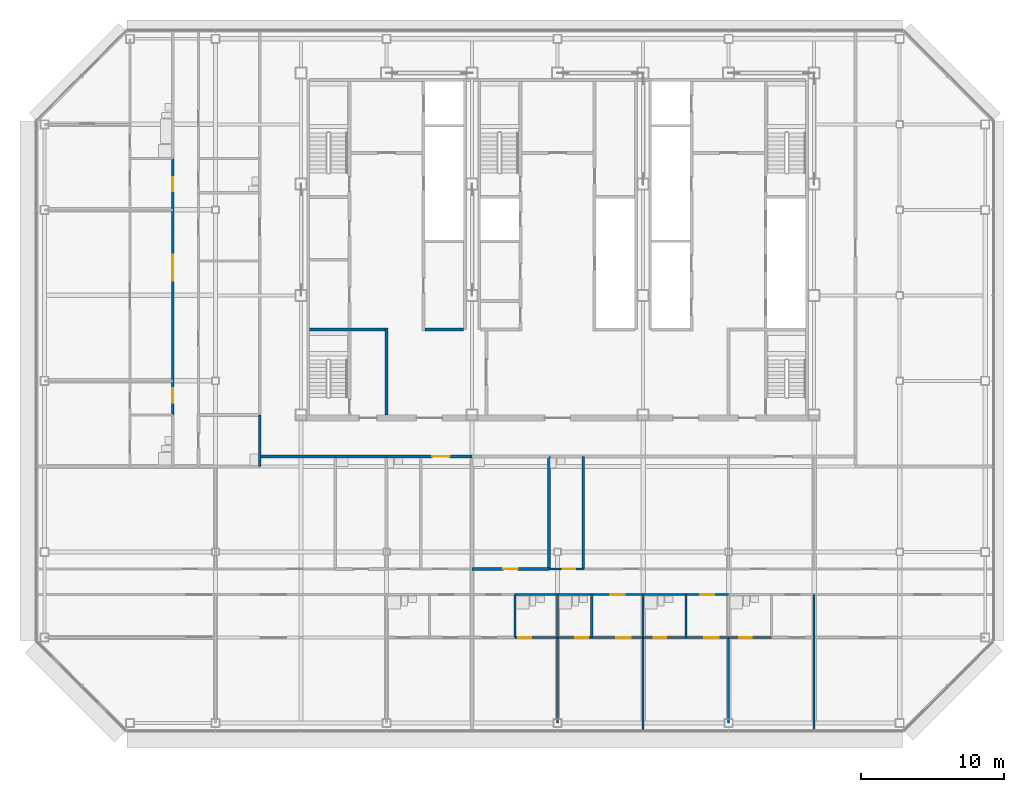
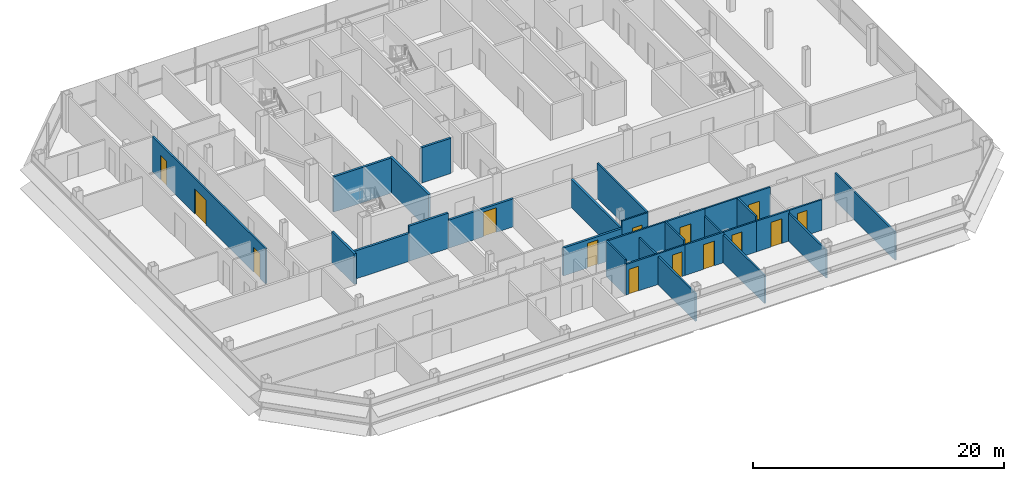
# One storey, part 22 of 28: 30 walls, 14 doors, 14 openings.
"""IFC4 building model written with IfcOpenShell, lengths in metres."""

from ifc_helpers import new_model, si_unit, direction, frame, frame_2d, origin, place, context, subcontext, project, spatial, rectangle, extrude, material, layer, layer_set, type_object, element, fill, save


model = new_model("IFC4")

# Units and contexts
model_context = context("Model", 3, precision=1e-05, world=origin(), true_north=direction((0.0, 1.0)))
body_context = subcontext(model_context, "Body", "Model", "MODEL_VIEW")
ifc_project = project(units=[si_unit("LENGTHUNIT", "METRE"), si_unit("AREAUNIT", "SQUARE_METRE"), si_unit("VOLUMEUNIT", "CUBIC_METRE"), si_unit("PLANEANGLEUNIT", "RADIAN"), si_unit("MASSUNIT", "GRAM", prefix="KILO")], contexts=[model_context])

# Site, building, storey
site_placement = place(None, origin())
site = spatial("IfcSite", under=ifc_project, at=site_placement, CompositionType="ELEMENT")
building_placement = place(site_placement, origin())
building = spatial("IfcBuilding", under=site, at=building_placement, Name="Sorahane Residences", CompositionType="ELEMENT")
storey_placement = place(building_placement, frame((0.0, 0.0, 250.39990234375)))
storey = spatial("IfcBuildingStorey", under=building, at=storey_placement, Name="L59", CompositionType="ELEMENT", Elevation=250.39990234375)

# Wall
ifc_material_1 = material(Name="Concrete blockwork C20 wall", Category="masonry")
ifc_layer_1 = layer(ifc_material_1, 0.199951171875)
ifc_layer_set_1 = layer_set([ifc_layer_1], Name="Corridor wall 200 EI 120")
wall_type_1 = type_object("IfcWallType", Name="Corridor wall 200 EI 120", PredefinedType="SOLIDWALL", material=ifc_layer_set_1)
wall_1_placement = place(storey_placement, frame((3.10009765625, 18.699951171875, 0.0), z_axis=(0.0, 0.0, 1.0), x_axis=(1.0, 0.0, 0.0)))
element("IfcWall", 1, at=wall_1_placement, inside=storey, type_object=wall_type_1, Name="L59 corridor wall", PredefinedType="SOLIDWALL", context=body_context, shape_type="SweptSolid", body=[
    extrude(rectangle(XDim=5.2998046875, YDim=0.199951171875, at=frame_2d((2.64990234375, 0.0))), origin(), (0.0, 0.0, 1.0), 2.72021484375),
])

# Wall, opening, door
wall_2_placement = place(storey_placement, frame((12.0, 18.699951171875, 0.0), z_axis=(0.0, 0.0, 1.0), x_axis=(1.0, 0.0, 0.0)))
wall_2 = element("IfcWall", 2, at=wall_2_placement, inside=storey, type_object=wall_type_1, Name="L59 corridor wall", PredefinedType="SOLIDWALL", context=body_context, shape_type="SweptSolid", body=[
    extrude(rectangle(XDim=6.0, YDim=0.199951171875, at=frame_2d((3.0, 0.0))), origin(), (0.0, 0.0, 1.0), 2.72021484375),
])
opening_1_placement = place(wall_2_placement, frame((3.219970703125, 0.0, 0.0)))
opening_1 = element("IfcOpeningElement", 3, at=opening_1_placement, cuts=wall_2, Name="Opening L59-46", PredefinedType="OPENING", context=body_context, shape_type="SweptSolid", body=[
    extrude(rectangle(XDim=1.199951171875, YDim=2.39990234375, at=frame_2d((0.60009765625, 1.199951171875))), frame((0.0, 0.10986328125, 0.0), z_axis=(0.0, -1.0, 0.0), x_axis=(1.0, 0.0, 0.0)), (0.0, 0.0, 1.0), 0.219970703125),
])
ifc_material_2 = material(Name="Timber veneered fire door", Category="wood")
door_type_1 = type_object("IfcDoorType", Name="Flat entrance door 1200x2400 FD60", OperationType="NOTDEFINED", PredefinedType="DOOR", material=ifc_material_2)
door_1_placement = place(opening_1_placement, frame((1.199951171875, 0.0, 0.0), z_axis=(0.0, 0.0, 1.0), x_axis=(-1.0, 0.0, 0.0)))
door_1 = element("IfcDoor", 4, at=door_1_placement, inside=storey, type_object=door_type_1, Name="Flat entrance door L59-46", OperationType="SINGLE_SWING_RIGHT", OverallHeight=2.39990234375, OverallWidth=1.199951171875, PredefinedType="DOOR", context=body_context, shape_type="SweptSolid", body=[
    extrude(rectangle(XDim=1.199951171875, YDim=2.39990234375, at=frame_2d((0.60009765625, 1.199951171875))), frame((0.0, 0.02490234375, 0.0), z_axis=(0.0, -1.0, 0.0), x_axis=(1.0, 0.0, 0.0)), (0.0, 0.0, 1.0), 0.050048828125),
])
fill(opening_1, door_1)

# Walls
ifc_material_3 = material(Name="Concrete C30", Category="concrete")
ifc_layer_2 = layer(ifc_material_3, 0.199951171875)
ifc_layer_set_2 = layer_set([ifc_layer_2], Name="Front room wall 200 EI 120")
wall_type_2 = type_object("IfcWallType", Name="Front room wall 200 EI 120", PredefinedType="PARTITIONING", material=ifc_layer_set_2)
wall_3_placement = place(storey_placement, frame((12.0, 21.60009765625, 0.0), z_axis=(0.0, 0.0, 1.0), x_axis=(0.0, 1.0, 0.0)))
element("IfcWall", 5, at=wall_3_placement, inside=storey, type_object=wall_type_2, Name="L59 front room wall", PredefinedType="PARTITIONING", context=body_context, shape_type="SweptSolid", body=[
    extrude(rectangle(XDim=6.099853515625, YDim=0.199951171875, at=frame_2d((3.0498046875, 0.0))), origin(), (0.0, 0.0, 1.0), 3.420166015625),
])
ifc_material_4 = material(Name="Concrete blockwork C20 wall", Category="masonry")
ifc_layer_3 = layer(ifc_material_4, 0.199951171875)
ifc_layer_set_3 = layer_set([ifc_layer_3], Name="Kitchen wall 200 EI 180")
wall_type_3 = type_object("IfcWallType", Name="Kitchen wall 200 EI 180", PredefinedType="SOLIDWALL", material=ifc_layer_set_3)
wall_4_placement = place(storey_placement, frame((23.39990234375, 10.800048828125, 0.0), z_axis=(0.0, 0.0, 1.0), x_axis=(0.0, 1.0, 0.0)))
element("IfcWall", 6, at=wall_4_placement, inside=storey, type_object=wall_type_3, Name="L59 kitchen wall", PredefinedType="SOLIDWALL", context=body_context, shape_type="SweptSolid", body=[
    extrude(rectangle(XDim=7.89990234375, YDim=0.199951171875, at=frame_2d((3.949951171875, 0.0))), origin(), (0.0, 0.0, 1.0), 2.72021484375),
])
wall_5_placement = place(storey_placement, frame((3.10009765625, 18.0, 0.0), z_axis=(0.0, 0.0, 1.0), x_axis=(0.0, 1.0, 0.0)))
element("IfcWall", 7, at=wall_5_placement, inside=storey, type_object=wall_type_3, Name="L59 kitchen wall", PredefinedType="SOLIDWALL", context=body_context, shape_type="SweptSolid", body=[
    extrude(rectangle(XDim=3.60009765625, YDim=0.199951171875, at=frame_2d((1.800048828125, 0.0))), origin(), (0.0, 0.0, 1.0), 2.97021484375),
])

# Wall, opening, door
wall_6_placement = place(storey_placement, frame((18.0, 10.800048828125, 0.0), z_axis=(0.0, 0.0, 1.0), x_axis=(1.0, 0.0, 0.0)))
wall_6 = element("IfcWall", 8, at=wall_6_placement, inside=storey, type_object=wall_type_3, Name="L59 kitchen wall", PredefinedType="SOLIDWALL", context=body_context, shape_type="SweptSolid", body=[
    extrude(rectangle(XDim=5.39990234375, YDim=0.199951171875, at=frame_2d((2.699951171875, 0.0))), origin(), (0.0, 0.0, 1.0), 2.72021484375),
])
opening_2_placement = place(wall_6_placement, frame((2.199951171875, 0.0, 0.0)))
opening_2 = element("IfcOpeningElement", 9, at=opening_2_placement, cuts=wall_6, Name="Opening L59-14", PredefinedType="OPENING", context=body_context, shape_type="SweptSolid", body=[
    extrude(rectangle(XDim=1.0, YDim=2.39990234375, at=frame_2d((0.5, 1.199951171875))), frame((0.0, 0.10986328125, 0.0), z_axis=(0.0, -1.0, 0.0), x_axis=(1.0, 0.0, 0.0)), (0.0, 0.0, 1.0), 0.219970703125),
])
ifc_material_5 = material(Name="Steel", Category="steel")
door_type_2 = type_object("IfcDoorType", Name="Kitchen door 1000x2400 FD120", OperationType="NOTDEFINED", PredefinedType="DOOR", material=ifc_material_5)
door_2_placement = place(opening_2_placement, origin())
door_2 = element("IfcDoor", 10, at=door_2_placement, inside=storey, type_object=door_type_2, Name="Kitchen door L59-14", OperationType="SINGLE_SWING_LEFT", OverallHeight=2.39990234375, OverallWidth=1.0, PredefinedType="DOOR", context=body_context, shape_type="SweptSolid", body=[
    extrude(rectangle(XDim=1.0, YDim=2.39990234375, at=frame_2d((0.5, 1.199951171875))), frame((0.0, 0.02490234375, 0.0), z_axis=(0.0, -1.0, 0.0), x_axis=(1.0, 0.0, 0.0)), (0.0, 0.0, 1.0), 0.050048828125),
])
fill(opening_2, door_2)

# Wall
wall_7_placement = place(storey_placement, frame((8.39990234375, 18.699951171875, 0.0), z_axis=(0.0, 0.0, 1.0), x_axis=(1.0, 0.0, 0.0)))
element("IfcWall", 11, at=wall_7_placement, inside=storey, type_object=wall_type_3, Name="L59 kitchen wall", PredefinedType="SOLIDWALL", context=body_context, shape_type="SweptSolid", body=[
    extrude(rectangle(XDim=3.60009765625, YDim=0.199951171875, at=frame_2d((1.800048828125, 0.0))), origin(), (0.0, 0.0, 1.0), 3.420166015625),
])

# Wall, openings, doors
ifc_material_6 = material(Name="Gypsum board partition on steel studs", Category="steel")
ifc_layer_4 = layer(ifc_material_6, 0.14990234375)
ifc_layer_set_4 = layer_set([ifc_layer_4], Name="Partition 150 EI 90")
wall_type_4 = type_object("IfcWallType", Name="Partition 150 EI 90", PredefinedType="PARTITIONING", material=ifc_layer_set_4)
wall_8_placement = place(storey_placement, frame((-3.0, 21.60009765625, 0.0), z_axis=(0.0, 0.0, 1.0), x_axis=(0.0, 1.0, 0.0)))
wall_8 = element("IfcWall", 12, at=wall_8_placement, inside=storey, type_object=wall_type_4, Name="L59 partition", PredefinedType="PARTITIONING", context=body_context, shape_type="SweptSolid", body=[
    extrude(rectangle(XDim=18.0, YDim=0.14990234375, at=frame_2d((9.0, 0.0))), origin(), (0.0, 0.0, 1.0), 3.420166015625),
])
opening_3_placement = place(wall_8_placement, frame((0.8798828125, 0.0, 0.0)))
opening_3 = element("IfcOpeningElement", 13, at=opening_3_placement, cuts=wall_8, Name="Opening L59-37", PredefinedType="OPENING", context=body_context, shape_type="SweptSolid", body=[
    extrude(rectangle(XDim=1.0, YDim=2.39990234375, at=frame_2d((0.5, 1.199951171875))), frame((0.0, 0.0849609375, 0.0), z_axis=(0.0, -1.0, 0.0), x_axis=(1.0, 0.0, 0.0)), (0.0, 0.0, 1.0), 0.169921875),
])
opening_4_placement = place(wall_8_placement, frame((9.43994140625, 0.0, 0.0)))
opening_4 = element("IfcOpeningElement", 14, at=opening_4_placement, cuts=wall_8, Name="Opening L59-38", PredefinedType="OPENING", context=body_context, shape_type="SweptSolid", body=[
    extrude(rectangle(XDim=1.800048828125, YDim=2.39990234375, at=frame_2d((0.89990234375, 1.199951171875))), frame((0.0, 0.0849609375, 0.0), z_axis=(0.0, -1.0, 0.0), x_axis=(1.0, 0.0, 0.0)), (0.0, 0.0, 1.0), 0.169921875),
])
opening_5_placement = place(wall_8_placement, frame((15.699951171875, 0.0, 0.0)))
opening_5 = element("IfcOpeningElement", 15, at=opening_5_placement, cuts=wall_8, Name="Opening L59-39", PredefinedType="OPENING", context=body_context, shape_type="SweptSolid", body=[
    extrude(rectangle(XDim=1.0, YDim=2.39990234375, at=frame_2d((0.5, 1.199951171875))), frame((0.0, 0.0849609375, 0.0), z_axis=(0.0, -1.0, 0.0), x_axis=(1.0, 0.0, 0.0)), (0.0, 0.0, 1.0), 0.169921875),
])
ifc_material_7 = material(Name="Timber veneered fire door", Category="wood")
door_type_3 = type_object("IfcDoorType", Name="Double door 1800x2400 FD30", OperationType="NOTDEFINED", PredefinedType="DOOR", material=ifc_material_7)
door_3_placement = place(opening_4_placement, origin())
door_3 = element("IfcDoor", 16, at=door_3_placement, inside=storey, type_object=door_type_3, Name="Double door L59-38", OperationType="SINGLE_SWING_LEFT", OverallHeight=2.39990234375, OverallWidth=1.800048828125, PredefinedType="DOOR", context=body_context, shape_type="SweptSolid", body=[
    extrude(rectangle(XDim=1.800048828125, YDim=2.39990234375, at=frame_2d((0.89990234375, 1.199951171875))), frame((0.0, 0.02490234375, 0.0), z_axis=(0.0, -1.0, 0.0), x_axis=(1.0, 0.0, 0.0)), (0.0, 0.0, 1.0), 0.050048828125),
])
fill(opening_4, door_3)
ifc_material_8 = material(Name="Timber veneered fire door", Category="wood")
door_type_4 = type_object("IfcDoorType", Name="Room door 1000x2400 FD30", OperationType="NOTDEFINED", PredefinedType="DOOR", material=ifc_material_8)
door_4_placement = place(opening_3_placement, origin())
door_4 = element("IfcDoor", 17, at=door_4_placement, inside=storey, type_object=door_type_4, Name="Room door L59-37", OperationType="SINGLE_SWING_LEFT", OverallHeight=2.39990234375, OverallWidth=1.0, PredefinedType="DOOR", context=body_context, shape_type="SweptSolid", body=[
    extrude(rectangle(XDim=1.0, YDim=2.39990234375, at=frame_2d((0.5, 1.199951171875))), frame((0.0, 0.02490234375, 0.0), z_axis=(0.0, -1.0, 0.0), x_axis=(1.0, 0.0, 0.0)), (0.0, 0.0, 1.0), 0.050048828125),
])
fill(opening_3, door_4)
door_5_placement = place(opening_5_placement, origin())
door_5 = element("IfcDoor", 18, at=door_5_placement, inside=storey, type_object=door_type_4, Name="Room door L59-39", OperationType="SINGLE_SWING_RIGHT", OverallHeight=2.39990234375, OverallWidth=1.0, PredefinedType="DOOR", context=body_context, shape_type="SweptSolid", body=[
    extrude(rectangle(XDim=1.0, YDim=2.39990234375, at=frame_2d((0.5, 1.199951171875))), frame((0.0, 0.02490234375, 0.0), z_axis=(0.0, -1.0, 0.0), x_axis=(1.0, 0.0, 0.0)), (0.0, 0.0, 1.0), 0.050048828125),
])
fill(opening_5, door_5)

# Walls
wall_9_placement = place(storey_placement, frame((24.0, 0.0, 0.0), z_axis=(0.0, 0.0, 1.0), x_axis=(0.0, 1.0, 0.0)))
element("IfcWall", 19, at=wall_9_placement, inside=storey, type_object=wall_type_4, Name="L59 partition", PredefinedType="PARTITIONING", context=body_context, shape_type="SweptSolid", body=[
    extrude(rectangle(XDim=6.0, YDim=0.14990234375, at=frame_2d((3.0, 0.0))), origin(), (0.0, 0.0, 1.0), 2.72021484375),
])
wall_10_placement = place(storey_placement, frame((30.0, -0.60009765625, 0.0), z_axis=(0.0, 0.0, 1.0), x_axis=(0.0, 1.0, 0.0)))
element("IfcWall", 20, at=wall_10_placement, inside=storey, type_object=wall_type_4, Name="L59 partition", PredefinedType="PARTITIONING", context=body_context, shape_type="SweptSolid", body=[
    extrude(rectangle(XDim=6.60009765625, YDim=0.14990234375, at=frame_2d((3.300048828125, 0.0))), origin(), (0.0, 0.0, 1.0), 2.72021484375),
])
wall_11_placement = place(storey_placement, frame((36.0, 0.0, 0.0), z_axis=(0.0, 0.0, 1.0), x_axis=(0.0, 1.0, 0.0)))
element("IfcWall", 21, at=wall_11_placement, inside=storey, type_object=wall_type_4, Name="L59 partition", PredefinedType="PARTITIONING", context=body_context, shape_type="SweptSolid", body=[
    extrude(rectangle(XDim=6.0, YDim=0.14990234375, at=frame_2d((3.0, 0.0))), origin(), (0.0, 0.0, 1.0), 2.72021484375),
])
wall_12_placement = place(storey_placement, frame((42.0, -0.60009765625, 0.0), z_axis=(0.0, 0.0, 1.0), x_axis=(0.0, 1.0, 0.0)))
element("IfcWall", 22, at=wall_12_placement, inside=storey, type_object=wall_type_4, Name="L59 partition", PredefinedType="PARTITIONING", context=body_context, shape_type="SweptSolid", body=[
    extrude(rectangle(XDim=9.60009765625, YDim=0.14990234375, at=frame_2d((4.800048828125, 0.0))), origin(), (0.0, 0.0, 1.0), 2.72021484375),
])

# Wall, opening, door
wall_13_placement = place(storey_placement, frame((26.39990234375, 6.0, 0.0), z_axis=(0.0, 0.0, 1.0), x_axis=(1.0, 0.0, 0.0)))
wall_13 = element("IfcWall", 23, at=wall_13_placement, inside=storey, type_object=wall_type_4, Name="L59 partition", PredefinedType="PARTITIONING", context=body_context, shape_type="SweptSolid", body=[
    extrude(rectangle(XDim=3.60009765625, YDim=0.14990234375, at=frame_2d((1.800048828125, 0.0))), origin(), (0.0, 0.0, 1.0), 2.97021484375),
])
opening_6_placement = place(wall_13_placement, frame((1.719970703125, 0.0, 0.0)))
opening_6 = element("IfcOpeningElement", 24, at=opening_6_placement, cuts=wall_13, Name="Opening L59-25", PredefinedType="OPENING", context=body_context, shape_type="SweptSolid", body=[
    extrude(rectangle(XDim=1.0, YDim=2.39990234375, at=frame_2d((0.5, 1.199951171875))), frame((0.0, 0.0849609375, 0.0), z_axis=(0.0, -1.0, 0.0), x_axis=(1.0, 0.0, 0.0)), (0.0, 0.0, 1.0), 0.169921875),
])
door_6_placement = place(opening_6_placement, frame((1.0, 0.0, 0.0), z_axis=(0.0, 0.0, 1.0), x_axis=(-1.0, 0.0, 0.0)))
door_6 = element("IfcDoor", 25, at=door_6_placement, inside=storey, type_object=door_type_4, Name="Room door L59-25", OperationType="SINGLE_SWING_LEFT", OverallHeight=2.39990234375, OverallWidth=1.0, PredefinedType="DOOR", context=body_context, shape_type="SweptSolid", body=[
    extrude(rectangle(XDim=1.0, YDim=2.39990234375, at=frame_2d((0.5, 1.199951171875))), frame((0.0, 0.02490234375, 0.0), z_axis=(0.0, -1.0, 0.0), x_axis=(1.0, 0.0, 0.0)), (0.0, 0.0, 1.0), 0.050048828125),
])
fill(opening_6, door_6)

wall_14_placement = place(storey_placement, frame((33.0, 6.0, 0.0), z_axis=(0.0, 0.0, 1.0), x_axis=(1.0, 0.0, 0.0)))
wall_14 = element("IfcWall", 26, at=wall_14_placement, inside=storey, type_object=wall_type_4, Name="L59 partition", PredefinedType="PARTITIONING", context=body_context, shape_type="SweptSolid", body=[
    extrude(rectangle(XDim=3.0, YDim=0.14990234375, at=frame_2d((1.5, 0.0))), origin(), (0.0, 0.0, 1.0), 2.97021484375),
])
opening_7_placement = place(wall_14_placement, frame((1.300048828125, 0.0, 0.0)))
opening_7 = element("IfcOpeningElement", 27, at=opening_7_placement, cuts=wall_14, Name="Opening L59-27", PredefinedType="OPENING", context=body_context, shape_type="SweptSolid", body=[
    extrude(rectangle(XDim=1.0, YDim=2.39990234375, at=frame_2d((0.5, 1.199951171875))), frame((0.0, 0.0849609375, 0.0), z_axis=(0.0, -1.0, 0.0), x_axis=(1.0, 0.0, 0.0)), (0.0, 0.0, 1.0), 0.169921875),
])
door_7_placement = place(opening_7_placement, frame((1.0, 0.0, 0.0), z_axis=(0.0, 0.0, 1.0), x_axis=(-1.0, 0.0, 0.0)))
door_7 = element("IfcDoor", 28, at=door_7_placement, inside=storey, type_object=door_type_4, Name="Room door L59-27", OperationType="SINGLE_SWING_RIGHT", OverallHeight=2.39990234375, OverallWidth=1.0, PredefinedType="DOOR", context=body_context, shape_type="SweptSolid", body=[
    extrude(rectangle(XDim=1.0, YDim=2.39990234375, at=frame_2d((0.5, 1.199951171875))), frame((0.0, 0.02490234375, 0.0), z_axis=(0.0, -1.0, 0.0), x_axis=(1.0, 0.0, 0.0)), (0.0, 0.0, 1.0), 0.050048828125),
])
fill(opening_7, door_7)

wall_15_placement = place(storey_placement, frame((26.39990234375, 9.0, 0.0), z_axis=(0.0, 0.0, 1.0), x_axis=(1.0, 0.0, 0.0)))
wall_15 = element("IfcWall", 29, at=wall_15_placement, inside=storey, type_object=wall_type_4, Name="L59 partition", PredefinedType="PARTITIONING", context=body_context, shape_type="SweptSolid", body=[
    extrude(rectangle(XDim=3.60009765625, YDim=0.14990234375, at=frame_2d((1.800048828125, 0.0))), origin(), (0.0, 0.0, 1.0), 3.420166015625),
])
opening_8_placement = place(wall_15_placement, frame((1.300048828125, 0.0, 0.0)))
opening_8 = element("IfcOpeningElement", 30, at=opening_8_placement, cuts=wall_15, Name="Opening L59-19", PredefinedType="OPENING", context=body_context, shape_type="SweptSolid", body=[
    extrude(rectangle(XDim=1.0, YDim=2.39990234375, at=frame_2d((0.5, 1.199951171875))), frame((0.0, 0.0849609375, 0.0), z_axis=(0.0, -1.0, 0.0), x_axis=(1.0, 0.0, 0.0)), (0.0, 0.0, 1.0), 0.169921875),
])
door_8_placement = place(opening_8_placement, frame((1.0, 0.0, 0.0), z_axis=(0.0, 0.0, 1.0), x_axis=(-1.0, 0.0, 0.0)))
door_8 = element("IfcDoor", 31, at=door_8_placement, inside=storey, type_object=door_type_4, Name="Room door L59-19", OperationType="SINGLE_SWING_LEFT", OverallHeight=2.39990234375, OverallWidth=1.0, PredefinedType="DOOR", context=body_context, shape_type="SweptSolid", body=[
    extrude(rectangle(XDim=1.0, YDim=2.39990234375, at=frame_2d((0.5, 1.199951171875))), frame((0.0, 0.02490234375, 0.0), z_axis=(0.0, -1.0, 0.0), x_axis=(1.0, 0.0, 0.0)), (0.0, 0.0, 1.0), 0.050048828125),
])
fill(opening_8, door_8)

wall_16_placement = place(storey_placement, frame((33.0, 9.0, 0.0), z_axis=(0.0, 0.0, 1.0), x_axis=(1.0, 0.0, 0.0)))
wall_16 = element("IfcWall", 32, at=wall_16_placement, inside=storey, type_object=wall_type_4, Name="L59 partition", PredefinedType="PARTITIONING", context=body_context, shape_type="SweptSolid", body=[
    extrude(rectangle(XDim=3.0, YDim=0.14990234375, at=frame_2d((1.5, 0.0))), origin(), (0.0, 0.0, 1.0), 3.420166015625),
])
opening_9_placement = place(wall_16_placement, frame((1.0, 0.0, 0.0)))
opening_9 = element("IfcOpeningElement", 33, at=opening_9_placement, cuts=wall_16, Name="Opening L59-20", PredefinedType="OPENING", context=body_context, shape_type="SweptSolid", body=[
    extrude(rectangle(XDim=1.0, YDim=2.39990234375, at=frame_2d((0.5, 1.199951171875))), frame((0.0, 0.0849609375, 0.0), z_axis=(0.0, -1.0, 0.0), x_axis=(1.0, 0.0, 0.0)), (0.0, 0.0, 1.0), 0.169921875),
])
door_9_placement = place(opening_9_placement, frame((1.0, 0.0, 0.0), z_axis=(0.0, 0.0, 1.0), x_axis=(-1.0, 0.0, 0.0)))
door_9 = element("IfcDoor", 34, at=door_9_placement, inside=storey, type_object=door_type_4, Name="Room door L59-20", OperationType="SINGLE_SWING_RIGHT", OverallHeight=2.39990234375, OverallWidth=1.0, PredefinedType="DOOR", context=body_context, shape_type="SweptSolid", body=[
    extrude(rectangle(XDim=1.0, YDim=2.39990234375, at=frame_2d((0.5, 1.199951171875))), frame((0.0, 0.02490234375, 0.0), z_axis=(0.0, -1.0, 0.0), x_axis=(1.0, 0.0, 0.0)), (0.0, 0.0, 1.0), 0.050048828125),
])
fill(opening_9, door_9)

# Walls
ifc_material_9 = material(Name="Concrete C30", Category="concrete")
ifc_layer_5 = layer(ifc_material_9, 0.199951171875)
ifc_layer_set_5 = layer_set([ifc_layer_5], Name="Service room partition 200 EI 60")
wall_type_5 = type_object("IfcWallType", Name="Service room partition 200 EI 60", PredefinedType="PARTITIONING", material=ifc_layer_set_5)
wall_17_placement = place(storey_placement, frame((14.699951171875, 27.60009765625, 0.0), z_axis=(0.0, 0.0, 1.0), x_axis=(1.0, 0.0, 0.0)))
element("IfcWall", 35, at=wall_17_placement, inside=storey, type_object=wall_type_5, Name="L59 service room wall", PredefinedType="PARTITIONING", context=body_context, shape_type="SweptSolid", body=[
    extrude(rectangle(XDim=2.699951171875, YDim=0.199951171875, at=frame_2d((1.35009765625, 0.0))), origin(), (0.0, 0.0, 1.0), 3.420166015625),
])
ifc_material_10 = material(Name="Concrete C30", Category="concrete")
ifc_layer_6 = layer(ifc_material_10, 0.199951171875)
ifc_layer_set_6 = layer_set([ifc_layer_6], Name="Stair enclosure wall 200 EI 120")
wall_type_6 = type_object("IfcWallType", Name="Stair enclosure wall 200 EI 120", PredefinedType="SOLIDWALL", material=ifc_layer_set_6)
wall_18_placement = place(storey_placement, frame((6.60009765625, 27.60009765625, 0.0), z_axis=(0.0, 0.0, 1.0), x_axis=(1.0, 0.0, 0.0)))
element("IfcWall", 36, at=wall_18_placement, inside=storey, type_object=wall_type_6, Name="L59 stair enclosure wall", PredefinedType="SOLIDWALL", context=body_context, shape_type="SweptSolid", body=[
    extrude(rectangle(XDim=5.2998046875, YDim=0.199951171875, at=frame_2d((2.64990234375, 0.0))), origin(), (0.0, 0.0, 1.0), 3.420166015625),
])
ifc_material_11 = material(Name="Gypsum board partition on steel studs", Category="steel")
ifc_layer_7 = layer(ifc_material_11, 0.14990234375)
ifc_layer_set_7 = layer_set([ifc_layer_7], Name="Wet wall 150 EI 90")
wall_type_7 = type_object("IfcWallType", Name="Wet wall 150 EI 90", PredefinedType="PARTITIONING", material=ifc_layer_set_7)
wall_19_placement = place(storey_placement, frame((21.0, 6.0, 0.0), z_axis=(0.0, 0.0, 1.0), x_axis=(0.0, 1.0, 0.0)))
element("IfcWall", 37, at=wall_19_placement, inside=storey, type_object=wall_type_7, Name="L59 wet wall", PredefinedType="PARTITIONING", context=body_context, shape_type="SweptSolid", body=[
    extrude(rectangle(XDim=3.0, YDim=0.14990234375, at=frame_2d((1.5, 0.0))), origin(), (0.0, 0.0, 1.0), 3.420166015625),
])
wall_20_placement = place(storey_placement, frame((24.0, 6.0, 0.0), z_axis=(0.0, 0.0, 1.0), x_axis=(0.0, 1.0, 0.0)))
element("IfcWall", 38, at=wall_20_placement, inside=storey, type_object=wall_type_7, Name="L59 wet wall", PredefinedType="PARTITIONING", context=body_context, shape_type="SweptSolid", body=[
    extrude(rectangle(XDim=3.0, YDim=0.14990234375, at=frame_2d((1.5, 0.0))), origin(), (0.0, 0.0, 1.0), 2.72021484375),
])
wall_21_placement = place(storey_placement, frame((25.800048828125, 10.800048828125, 0.0), z_axis=(0.0, 0.0, 1.0), x_axis=(0.0, 1.0, 0.0)))
element("IfcWall", 39, at=wall_21_placement, inside=storey, type_object=wall_type_7, Name="L59 wet wall", PredefinedType="PARTITIONING", context=body_context, shape_type="SweptSolid", body=[
    extrude(rectangle(XDim=7.89990234375, YDim=0.14990234375, at=frame_2d((3.949951171875, 0.0))), origin(), (0.0, 0.0, 1.0), 3.420166015625),
])
wall_22_placement = place(storey_placement, frame((26.39990234375, 6.0, 0.0), z_axis=(0.0, 0.0, 1.0), x_axis=(0.0, 1.0, 0.0)))
element("IfcWall", 40, at=wall_22_placement, inside=storey, type_object=wall_type_7, Name="L59 wet wall", PredefinedType="PARTITIONING", context=body_context, shape_type="SweptSolid", body=[
    extrude(rectangle(XDim=3.0, YDim=0.14990234375, at=frame_2d((1.5, 0.0))), origin(), (0.0, 0.0, 1.0), 3.420166015625),
])
wall_23_placement = place(storey_placement, frame((30.0, 6.0, 0.0), z_axis=(0.0, 0.0, 1.0), x_axis=(0.0, 1.0, 0.0)))
element("IfcWall", 41, at=wall_23_placement, inside=storey, type_object=wall_type_7, Name="L59 wet wall", PredefinedType="PARTITIONING", context=body_context, shape_type="SweptSolid", body=[
    extrude(rectangle(XDim=3.0, YDim=0.14990234375, at=frame_2d((1.5, 0.0))), origin(), (0.0, 0.0, 1.0), 2.72021484375),
])
wall_24_placement = place(storey_placement, frame((33.0, 6.0, 0.0), z_axis=(0.0, 0.0, 1.0), x_axis=(0.0, 1.0, 0.0)))
element("IfcWall", 42, at=wall_24_placement, inside=storey, type_object=wall_type_7, Name="L59 wet wall", PredefinedType="PARTITIONING", context=body_context, shape_type="SweptSolid", body=[
    extrude(rectangle(XDim=3.0, YDim=0.14990234375, at=frame_2d((1.5, 0.0))), origin(), (0.0, 0.0, 1.0), 3.420166015625),
])

# Wall, opening, door
wall_25_placement = place(storey_placement, frame((23.39990234375, 10.800048828125, 0.0), z_axis=(0.0, 0.0, 1.0), x_axis=(1.0, 0.0, 0.0)))
wall_25 = element("IfcWall", 43, at=wall_25_placement, inside=storey, type_object=wall_type_7, Name="L59 wet wall", PredefinedType="PARTITIONING", context=body_context, shape_type="SweptSolid", body=[
    extrude(rectangle(XDim=2.400146484375, YDim=0.14990234375, at=frame_2d((1.2001953125, 0.0))), origin(), (0.0, 0.0, 1.0), 3.420166015625),
])
opening_10_placement = place(wall_25_placement, frame((0.949951171875, 0.0, 0.0)))
opening_10 = element("IfcOpeningElement", 44, at=opening_10_placement, cuts=wall_25, Name="Opening L59-15", PredefinedType="OPENING", context=body_context, shape_type="SweptSolid", body=[
    extrude(rectangle(XDim=0.89990234375, YDim=2.39990234375, at=frame_2d((0.449951171875, 1.199951171875))), frame((0.0, 0.0849609375, 0.0), z_axis=(0.0, -1.0, 0.0), x_axis=(1.0, 0.0, 0.0)), (0.0, 0.0, 1.0), 0.169921875),
])
ifc_material_12 = material(Name="Timber veneered fire door", Category="wood")
door_type_5 = type_object("IfcDoorType", Name="Bathroom door 900x2400 FD30", OperationType="NOTDEFINED", PredefinedType="DOOR", material=ifc_material_12)
door_10_placement = place(opening_10_placement, frame((0.89990234375, 0.0, 0.0), z_axis=(0.0, 0.0, 1.0), x_axis=(-1.0, 0.0, 0.0)))
door_10 = element("IfcDoor", 45, at=door_10_placement, inside=storey, type_object=door_type_5, Name="Bathroom door L59-15", OperationType="SINGLE_SWING_RIGHT", OverallHeight=2.39990234375, OverallWidth=0.89990234375, PredefinedType="DOOR", context=body_context, shape_type="SweptSolid", body=[
    extrude(rectangle(XDim=0.89990234375, YDim=2.39990234375, at=frame_2d((0.449951171875, 1.199951171875))), frame((0.0, 0.02490234375, 0.0), z_axis=(0.0, -1.0, 0.0), x_axis=(1.0, 0.0, 0.0)), (0.0, 0.0, 1.0), 0.050048828125),
])
fill(opening_10, door_10)

# Wall, openings, doors
wall_26_placement = place(storey_placement, frame((21.0, 6.0, 0.0), z_axis=(0.0, 0.0, 1.0), x_axis=(1.0, 0.0, 0.0)))
wall_26 = element("IfcWall", 46, at=wall_26_placement, inside=storey, type_object=wall_type_7, Name="L59 wet wall", PredefinedType="PARTITIONING", context=body_context, shape_type="SweptSolid", body=[
    extrude(rectangle(XDim=5.39990234375, YDim=0.14990234375, at=frame_2d((2.699951171875, 0.0))), origin(), (0.0, 0.0, 1.0), 2.97021484375),
])
opening_11_placement = place(wall_26_placement, frame((0.25, 0.0, 0.0)))
opening_11 = element("IfcOpeningElement", 47, at=opening_11_placement, cuts=wall_26, Name="Opening L59-24", PredefinedType="OPENING", context=body_context, shape_type="SweptSolid", body=[
    extrude(rectangle(XDim=0.89990234375, YDim=2.39990234375, at=frame_2d((0.449951171875, 1.199951171875))), frame((0.0, 0.0849609375, 0.0), z_axis=(0.0, -1.0, 0.0), x_axis=(1.0, 0.0, 0.0)), (0.0, 0.0, 1.0), 0.169921875),
])
opening_12_placement = place(wall_26_placement, frame((4.25, 0.0, 0.0)))
opening_12 = element("IfcOpeningElement", 48, at=opening_12_placement, cuts=wall_26, Name="Opening L59-26", PredefinedType="OPENING", context=body_context, shape_type="SweptSolid", body=[
    extrude(rectangle(XDim=0.89990234375, YDim=2.39990234375, at=frame_2d((0.449951171875, 1.199951171875))), frame((0.0, 0.0849609375, 0.0), z_axis=(0.0, -1.0, 0.0), x_axis=(1.0, 0.0, 0.0)), (0.0, 0.0, 1.0), 0.169921875),
])
door_11_placement = place(opening_11_placement, frame((0.89990234375, 0.0, 0.0), z_axis=(0.0, 0.0, 1.0), x_axis=(-1.0, 0.0, 0.0)))
door_11 = element("IfcDoor", 49, at=door_11_placement, inside=storey, type_object=door_type_5, Name="Bathroom door L59-24", OperationType="SINGLE_SWING_LEFT", OverallHeight=2.39990234375, OverallWidth=0.89990234375, PredefinedType="DOOR", context=body_context, shape_type="SweptSolid", body=[
    extrude(rectangle(XDim=0.89990234375, YDim=2.39990234375, at=frame_2d((0.449951171875, 1.199951171875))), frame((0.0, 0.02490234375, 0.0), z_axis=(0.0, -1.0, 0.0), x_axis=(1.0, 0.0, 0.0)), (0.0, 0.0, 1.0), 0.050048828125),
])
fill(opening_11, door_11)
door_12_placement = place(opening_12_placement, frame((0.89990234375, 0.0, 0.0), z_axis=(0.0, 0.0, 1.0), x_axis=(-1.0, 0.0, 0.0)))
door_12 = element("IfcDoor", 50, at=door_12_placement, inside=storey, type_object=door_type_5, Name="Bathroom door L59-26", OperationType="SINGLE_SWING_LEFT", OverallHeight=2.39990234375, OverallWidth=0.89990234375, PredefinedType="DOOR", context=body_context, shape_type="SweptSolid", body=[
    extrude(rectangle(XDim=0.89990234375, YDim=2.39990234375, at=frame_2d((0.449951171875, 1.199951171875))), frame((0.0, 0.02490234375, 0.0), z_axis=(0.0, -1.0, 0.0), x_axis=(1.0, 0.0, 0.0)), (0.0, 0.0, 1.0), 0.050048828125),
])
fill(opening_12, door_12)

# Wall, opening, door
wall_27_placement = place(storey_placement, frame((30.0, 6.0, 0.0), z_axis=(0.0, 0.0, 1.0), x_axis=(1.0, 0.0, 0.0)))
wall_27 = element("IfcWall", 51, at=wall_27_placement, inside=storey, type_object=wall_type_7, Name="L59 wet wall", PredefinedType="PARTITIONING", context=body_context, shape_type="SweptSolid", body=[
    extrude(rectangle(XDim=3.0, YDim=0.14990234375, at=frame_2d((1.5, 0.0))), origin(), (0.0, 0.0, 1.0), 2.97021484375),
])
opening_13_placement = place(wall_27_placement, frame((0.72998046875, 0.0, 0.0)))
opening_13 = element("IfcOpeningElement", 52, at=opening_13_placement, cuts=wall_27, Name="Opening L59-28", PredefinedType="OPENING", context=body_context, shape_type="SweptSolid", body=[
    extrude(rectangle(XDim=0.89990234375, YDim=2.39990234375, at=frame_2d((0.449951171875, 1.199951171875))), frame((0.0, 0.0849609375, 0.0), z_axis=(0.0, -1.0, 0.0), x_axis=(1.0, 0.0, 0.0)), (0.0, 0.0, 1.0), 0.169921875),
])
door_13_placement = place(opening_13_placement, frame((0.89990234375, 0.0, 0.0), z_axis=(0.0, 0.0, 1.0), x_axis=(-1.0, 0.0, 0.0)))
door_13 = element("IfcDoor", 53, at=door_13_placement, inside=storey, type_object=door_type_5, Name="Bathroom door L59-28", OperationType="SINGLE_SWING_LEFT", OverallHeight=2.39990234375, OverallWidth=0.89990234375, PredefinedType="DOOR", context=body_context, shape_type="SweptSolid", body=[
    extrude(rectangle(XDim=0.89990234375, YDim=2.39990234375, at=frame_2d((0.449951171875, 1.199951171875))), frame((0.0, 0.02490234375, 0.0), z_axis=(0.0, -1.0, 0.0), x_axis=(1.0, 0.0, 0.0)), (0.0, 0.0, 1.0), 0.050048828125),
])
fill(opening_13, door_13)

wall_28_placement = place(storey_placement, frame((36.0, 6.0, 0.0), z_axis=(0.0, 0.0, 1.0), x_axis=(1.0, 0.0, 0.0)))
wall_28 = element("IfcWall", 54, at=wall_28_placement, inside=storey, type_object=wall_type_7, Name="L59 wet wall", PredefinedType="PARTITIONING", context=body_context, shape_type="SweptSolid", body=[
    extrude(rectangle(XDim=3.0, YDim=0.14990234375, at=frame_2d((1.5, 0.0))), origin(), (0.0, 0.0, 1.0), 2.97021484375),
])
opening_14_placement = place(wall_28_placement, frame((0.72998046875, 0.0, 0.0)))
opening_14 = element("IfcOpeningElement", 55, at=opening_14_placement, cuts=wall_28, Name="Opening L59-30", PredefinedType="OPENING", context=body_context, shape_type="SweptSolid", body=[
    extrude(rectangle(XDim=0.89990234375, YDim=2.39990234375, at=frame_2d((0.449951171875, 1.199951171875))), frame((0.0, 0.0849609375, 0.0), z_axis=(0.0, -1.0, 0.0), x_axis=(1.0, 0.0, 0.0)), (0.0, 0.0, 1.0), 0.169921875),
])
door_14_placement = place(opening_14_placement, frame((0.89990234375, 0.0, 0.0), z_axis=(0.0, 0.0, 1.0), x_axis=(-1.0, 0.0, 0.0)))
door_14 = element("IfcDoor", 56, at=door_14_placement, inside=storey, type_object=door_type_5, Name="Bathroom door L59-30", OperationType="SINGLE_SWING_RIGHT", OverallHeight=2.39990234375, OverallWidth=0.89990234375, PredefinedType="DOOR", context=body_context, shape_type="SweptSolid", body=[
    extrude(rectangle(XDim=0.89990234375, YDim=2.39990234375, at=frame_2d((0.449951171875, 1.199951171875))), frame((0.0, 0.02490234375, 0.0), z_axis=(0.0, -1.0, 0.0), x_axis=(1.0, 0.0, 0.0)), (0.0, 0.0, 1.0), 0.050048828125),
])
fill(opening_14, door_14)

# Walls
wall_29_placement = place(storey_placement, frame((21.0, 9.0, 0.0), z_axis=(0.0, 0.0, 1.0), x_axis=(1.0, 0.0, 0.0)))
element("IfcWall", 57, at=wall_29_placement, inside=storey, type_object=wall_type_7, Name="L59 wet wall", PredefinedType="PARTITIONING", context=body_context, shape_type="SweptSolid", body=[
    extrude(rectangle(XDim=5.39990234375, YDim=0.14990234375, at=frame_2d((2.699951171875, 0.0))), origin(), (0.0, 0.0, 1.0), 3.420166015625),
])
wall_30_placement = place(storey_placement, frame((30.0, 9.0, 0.0), z_axis=(0.0, 0.0, 1.0), x_axis=(1.0, 0.0, 0.0)))
element("IfcWall", 58, at=wall_30_placement, inside=storey, type_object=wall_type_7, Name="L59 wet wall", PredefinedType="PARTITIONING", context=body_context, shape_type="SweptSolid", body=[
    extrude(rectangle(XDim=3.0, YDim=0.14990234375, at=frame_2d((1.5, 0.0))), origin(), (0.0, 0.0, 1.0), 3.420166015625),
])

save(model, "model.ifc")
